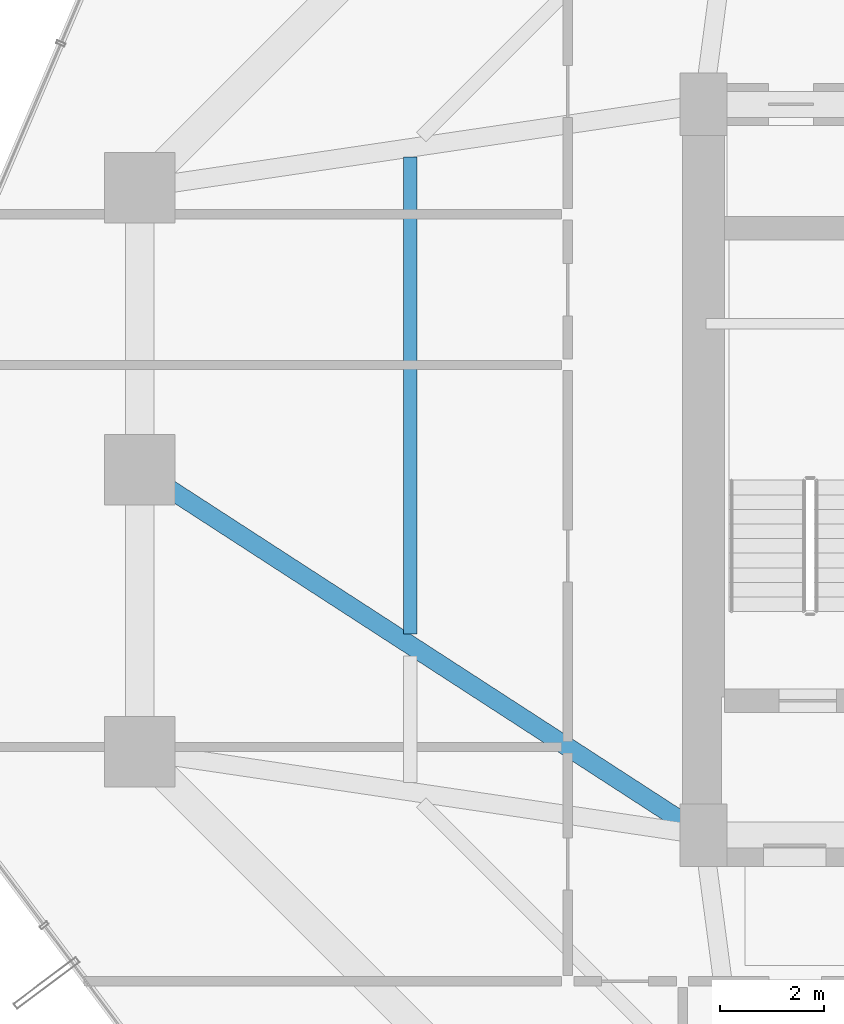
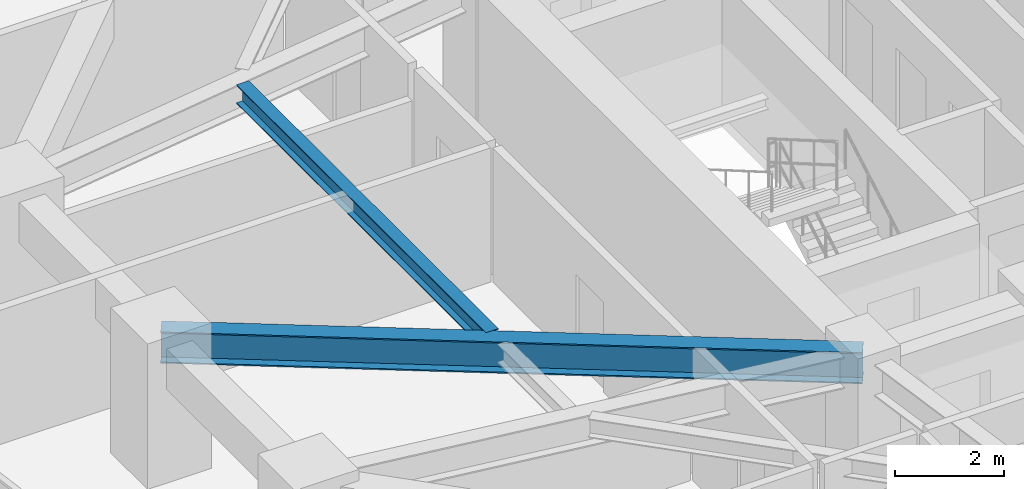
# One storey, part 11 of 37: 2 beams.
"""IFC4 building model written with IfcOpenShell, lengths in metres."""

import ifcopenshell
import ifcopenshell.guid

model = None  # the IFC model being written
_history = None  # IfcOwnerHistory: only IFC2X3 demands one
_inside = {}  # id of a spatial element -> (the spatial element, [elements in it])
_under = {}  # id of a project, library or spatial element -> (it, [spatial elements below it])
_declared = {}  # id of a project -> (the project, [libraries it declares])
_typed = {}  # id of a type object -> (the type object, [elements of that type])
_made_of = {}  # id of a material, layer set ... -> (it, [elements and type objects made of it])


def new_model(schema):
    """Start an empty IFC model of exactly this schema.

    Asked for "IFC4X3", IfcOpenShell would pick the latest addendum, in which some entities
    have other attributes; the version numbers below select the first issue.
    IFC2X3 requires an IfcOwnerHistory on every rooted entity: one is made here for all.
    """
    global model, _history
    if schema == "IFC4X3":
        model = ifcopenshell.file(schema_version=(4, 3, 0, 0))
    else:
        model = ifcopenshell.file(schema=schema)
    _inside.clear()
    _under.clear()
    _declared.clear()
    _typed.clear()
    _made_of.clear()
    _history = None
    if model.schema == "IFC2X3":
        org = make("IfcOrganization", Name="unknown")
        user = make(
            "IfcPersonAndOrganization",
            ThePerson=make("IfcPerson", FamilyName="unknown"),
            TheOrganization=org,
        )
        app = make(
            "IfcApplication",
            ApplicationDeveloper=org,
            Version="unknown",
            ApplicationFullName="unknown",
            ApplicationIdentifier="unknown",
        )
        _history = make(
            "IfcOwnerHistory",
            OwningUser=user,
            OwningApplication=app,
            ChangeAction="ADDED",
            CreationDate=0,
        )
    return model


def make(cls, **values):
    """One entity of the class cls with the attributes given. An attribute that is None is left unset."""
    return model.create_entity(
        cls, **{name: value for name, value in values.items() if value is not None}
    )


def rooted(cls, **values):
    """An entity with a GlobalId (a new one), such as an element, a storey or a relation."""
    return make(cls, GlobalId=ifcopenshell.guid.new(), OwnerHistory=_history, **values)


def si_unit(unit_type, name, prefix=None):
    """IfcSIUnit, for example si_unit("LENGTHUNIT", "METRE", prefix="MILLI")."""
    return make("IfcSIUnit", UnitType=unit_type, Prefix=prefix, Name=name)


def assignment(units):
    """IfcUnitAssignment: the units of a project."""
    return None if units is None else make("IfcUnitAssignment", Units=units)


def point(xyz):
    """IfcCartesianPoint."""
    return None if xyz is None else make("IfcCartesianPoint", Coordinates=xyz)


def direction(xyz):
    """IfcDirection."""
    return None if xyz is None else make("IfcDirection", DirectionRatios=xyz)


def frame(location, z_axis=None, x_axis=None):
    """IfcAxis2Placement3D, a coordinate frame: its origin and axes. An axis left out is left unset."""
    return make(
        "IfcAxis2Placement3D",
        Location=point(location),
        Axis=direction(z_axis),
        RefDirection=direction(x_axis),
    )


def frame_2d(location, x_axis=None):
    """IfcAxis2Placement2D, a coordinate frame in the plane: its origin and x axis."""
    return make(
        "IfcAxis2Placement2D", Location=point(location), RefDirection=direction(x_axis)
    )


def origin():
    """The frame at (0, 0, 0) with its axes left unset."""
    return frame((0.0, 0.0, 0.0))


def origin_2d():
    """The frame at (0, 0) in the plane with its x axis left unset."""
    return frame_2d((0.0, 0.0))


def place(relative_to, where):
    """IfcLocalPlacement: puts the frame where relative to a parent placement (None: the world)."""
    return make(
        "IfcLocalPlacement", PlacementRelTo=relative_to, RelativePlacement=where
    )


def context(
    kind, dimensions, precision=None, world=None, true_north=None, identifier=None
):
    """IfcGeometricRepresentationContext, for example the 3D "Model" context."""
    return make(
        "IfcGeometricRepresentationContext",
        ContextIdentifier=identifier,
        ContextType=kind,
        CoordinateSpaceDimension=dimensions,
        Precision=precision,
        WorldCoordinateSystem=world,
        TrueNorth=true_north,
    )


def subcontext(parent, identifier, kind, view, scale=None):
    """IfcGeometricRepresentationSubContext, for example "Body" below "Model"."""
    return make(
        "IfcGeometricRepresentationSubContext",
        ContextIdentifier=identifier,
        ContextType=kind,
        ParentContext=parent,
        TargetScale=scale,
        TargetView=view,
    )


def project(units=None, contexts=None):
    """IfcProject with its units and contexts."""
    return rooted(
        "IfcProject",
        Name="project",
        RepresentationContexts=contexts,
        UnitsInContext=assignment(units),
    )


def spatial(cls, under=None, at=None, **own):
    """A site, building, storey or space (cls), placed at a placement, below another one or the project."""
    s = rooted(cls, ObjectPlacement=at, **own)
    if under is not None:
        _under.setdefault(under.id(), (under, []))[1].append(s)
    return s


def profile(cls, at=None, kind="AREA", **sizes):
    """A parametric profile (cls). Its sizes go by their IFC names, for example OverallWidth=200.0."""
    return make(cls, ProfileType=kind, Position=at, **sizes)


def i_section(**sizes):
    """IfcIShapeProfileDef."""
    return profile("IfcIShapeProfileDef", **sizes)


def extrude(swept, where, along, depth):
    """IfcExtrudedAreaSolid: the profile swept, set in the frame where, extruded along a direction by depth."""
    return make(
        "IfcExtrudedAreaSolid",
        SweptArea=swept,
        Position=where,
        ExtrudedDirection=direction(along),
        Depth=depth,
    )


def shape(context_of_items, identifier, shape_type, items):
    """IfcShapeRepresentation: the items that make up one representation, for example the "Body"."""
    return make(
        "IfcShapeRepresentation",
        ContextOfItems=context_of_items,
        RepresentationIdentifier=identifier,
        RepresentationType=shape_type,
        Items=items,
    )


def material(Name=None, Category=None):
    """IfcMaterial."""
    return make("IfcMaterial", Name=Name, Category=Category)


def material_profile(
    of_material, cross_section, Name=None, Category=None, Priority=None
):
    """IfcMaterialProfile: a cross section and its material."""
    return make(
        "IfcMaterialProfile",
        Name=Name,
        Material=of_material,
        Profile=cross_section,
        Priority=Priority,
        Category=Category,
    )


def profile_set(profiles, Name=None, composite=None):
    """IfcMaterialProfileSet."""
    return make(
        "IfcMaterialProfileSet",
        Name=Name,
        MaterialProfiles=profiles,
        CompositeProfile=composite,
    )


def made_of(thing, what):
    """Note that an element or type object is made of a material, layer set ...; save() writes the relation."""
    if what is not None:
        _made_of.setdefault(what.id(), (what, []))[1].append(thing)
    return thing


def type_object(cls, material=None, **own):
    """A type object (cls), such as IfcWallType, which elements share."""
    return made_of(rooted(cls, **own), material)


def element(
    cls,
    number,
    at=None,
    inside=None,
    cuts=None,
    type_object=None,
    material=None,
    context=None,
    identifier="Body",
    shape_type=None,
    held_by="IfcProductDefinitionShape",
    body=None,
    shapes=None,
    **own,
):
    """One element of the class cls, such as IfcWall. Its Tag is "e" and its number.

    at: its placement. inside: the storey or other place that contains it. cuts: it is an
    opening in that element (IfcRelVoidsElement). A single representation is given by context,
    identifier, shape_type and body (its items); several are given by shapes. held_by: the class
    of the entity that holds the representations. save() writes the other relations.
    """
    e = rooted(cls, Tag="e%d" % number, ObjectPlacement=at, **own)
    if body is not None:
        shapes = [shape(context, identifier, shape_type, body)]
    if shapes is not None:
        e.Representation = make(held_by, Representations=shapes)
    if inside is not None:
        _inside.setdefault(inside.id(), (inside, []))[1].append(e)
    if cuts is not None:
        rooted(
            "IfcRelVoidsElement", RelatingBuildingElement=cuts, RelatedOpeningElement=e
        )
    if type_object is not None:
        _typed.setdefault(type_object.id(), (type_object, []))[1].append(e)
    return made_of(e, material)


def aggregate(whole, parts):
    """IfcRelAggregates: a whole, such as a stair, and the parts it consists of."""
    return rooted("IfcRelAggregates", RelatingObject=whole, RelatedObjects=parts)


def save(model, path):
    """Write the relations noted so far, then the file.

    IfcRelAggregates (storeys below a building ...), IfcRelContainedInSpatialStructure (elements
    in a storey), IfcRelDefinesByType, IfcRelAssociatesMaterial and IfcRelDeclares: one each for
    every whole, place, type object, material and project.
    """
    for whole, parts in _under.values():
        aggregate(whole, parts)
    for where, things in _inside.values():
        rooted(
            "IfcRelContainedInSpatialStructure",
            RelatedElements=things,
            RelatingStructure=where,
        )
    for kind, things in _typed.values():
        rooted("IfcRelDefinesByType", RelatedObjects=things, RelatingType=kind)
    for what, things in _made_of.values():
        rooted("IfcRelAssociatesMaterial", RelatedObjects=things, RelatingMaterial=what)
    for by, libraries in _declared.values():
        rooted("IfcRelDeclares", RelatingContext=by, RelatedDefinitions=libraries)
    model.write(path)


model = new_model("IFC4")

# Units and contexts
model_context = context("Model", 3, precision=1e-05, world=origin(), true_north=direction((0.0, 1.0)))
body_context = subcontext(model_context, "Body", "Model", "MODEL_VIEW")
ifc_project = project(units=[si_unit("LENGTHUNIT", "METRE"), si_unit("AREAUNIT", "SQUARE_METRE"), si_unit("VOLUMEUNIT", "CUBIC_METRE"), si_unit("PLANEANGLEUNIT", "RADIAN"), si_unit("MASSUNIT", "GRAM", prefix="KILO")], contexts=[model_context])

# Site, building, storey
site_placement = place(None, origin())
site = spatial("IfcSite", under=ifc_project, at=site_placement, CompositionType="ELEMENT")
building_placement = place(site_placement, origin())
building = spatial("IfcBuilding", under=site, at=building_placement, Name="Veraguas Prism Commons", CompositionType="ELEMENT")
storey_placement = place(building_placement, frame((0.0, 0.0, 46.800048828125)))
storey = spatial("IfcBuildingStorey", under=building, at=storey_placement, Name="L12", CompositionType="ELEMENT", Elevation=46.800048828125)

# Beams
ifc_material = material(Name="Steel ASTM A992 Grade 50", Category="steel")
ifc_material_profile_1 = material_profile(ifc_material, i_section(OverallWidth=0.260986328125, OverallDepth=0.419921875, WebThickness=0.01171875, FlangeThickness=0.019287109375, at=origin_2d()), Name="W410X114")
ifc_profile_set_1 = profile_set([ifc_material_profile_1], Name="Steel ASTM A992 Grade 50")
beam_type_1 = type_object("IfcBeamType", Name="Lower Floor Joist W410x114", PredefinedType="JOIST", material=ifc_profile_set_1)
beam_1_placement = place(storey_placement, frame((11.583984375, 29.989990234375, 2.7900390625), z_axis=(0.0, -1.0, 0.0), x_axis=(1.0, 0.0, 0.0)))
element("IfcBeam", 1, at=beam_1_placement, inside=storey, type_object=beam_type_1, Name="Composite Floor Joist L12-JS07", PredefinedType="JOIST", context=body_context, shape_type="SweptSolid", body=[
    extrude(i_section(OverallWidth=0.260986328125, OverallDepth=0.419921875, WebThickness=0.01171875, FlangeThickness=0.019287109375, at=origin_2d()), origin(), (0.0, 0.0, 1.0), 9.140380859375),
])
ifc_material_profile_2 = material_profile(ifc_material, i_section(OverallWidth=0.35595703125, OverallDepth=0.700927734375, WebThickness=0.016845703125, FlangeThickness=0.02734375, at=origin_2d()), Name="W690X240")
ifc_profile_set_2 = profile_set([ifc_material_profile_2], Name="Steel ASTM A992 Grade 50")
beam_type_2 = type_object("IfcBeamType", Name="Zone 1 Radial Girder W690x240", PredefinedType="BEAM", material=ifc_profile_set_2)
beam_2_placement = place(storey_placement, frame((6.39990234375, 24.0, 2.6494140625), z_axis=(0.839154108875, -0.543893722668, 0.0), x_axis=(0.543893722668, 0.839154108875, 0.0)))
element("IfcBeam", 2, at=beam_2_placement, inside=storey, type_object=beam_type_2, Name="Radial Floor Girder L12-RD08", PredefinedType="BEAM", context=body_context, shape_type="SweptSolid", body=[
    extrude(i_section(OverallWidth=0.35595703125, OverallDepth=0.700927734375, WebThickness=0.016845703125, FlangeThickness=0.02734375, at=origin_2d()), origin(), (0.0, 0.0, 1.0), 12.8701171875),
])

save(model, "model.ifc")
